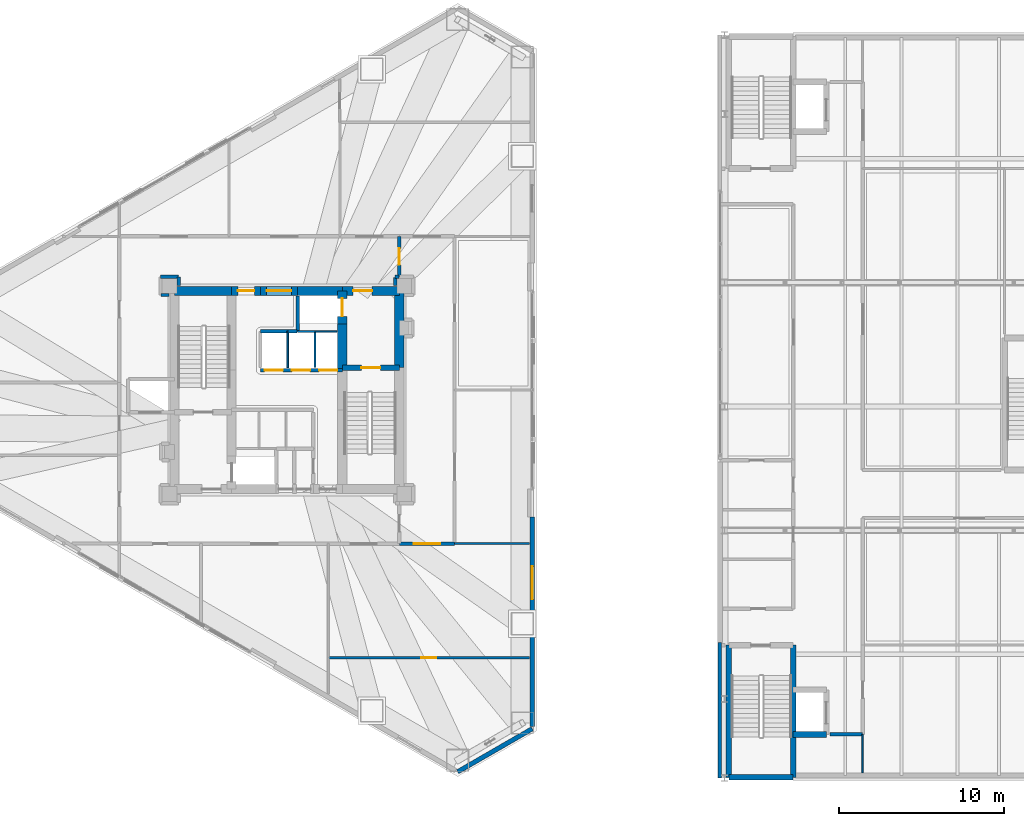
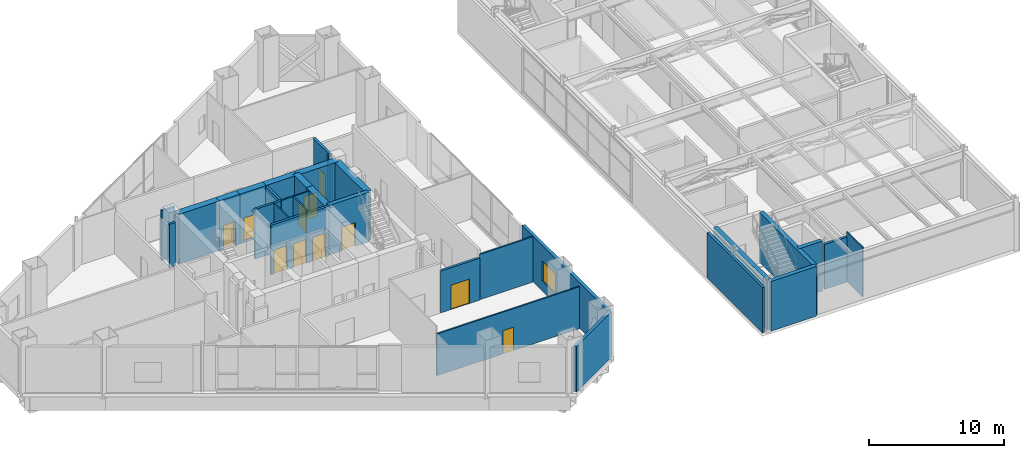
# One storey, part 23 of 29: 35 walls, 11 doors, 1 window, 12 openings.
"""IFC4 building model written with IfcOpenShell, lengths in metres."""

from ifc_helpers import new_model, si_unit, direction, frame, frame_2d, origin, place, context, subcontext, project, spatial, rectangle, extrude, material, layer, layer_set, type_object, element, fill, save


model = new_model("IFC4")

# Units and contexts
model_context = context("Model", 3, precision=1e-05, world=origin(), true_north=direction((0.0, 1.0)))
body_context = subcontext(model_context, "Body", "Model", "MODEL_VIEW")
ifc_project = project(units=[si_unit("LENGTHUNIT", "METRE"), si_unit("AREAUNIT", "SQUARE_METRE"), si_unit("VOLUMEUNIT", "CUBIC_METRE"), si_unit("PLANEANGLEUNIT", "RADIAN"), si_unit("MASSUNIT", "GRAM", prefix="KILO")], contexts=[model_context])

# Site, building, storey
site_placement = place(None, origin())
site = spatial("IfcSite", under=ifc_project, at=site_placement, CompositionType="ELEMENT")
building_placement = place(site_placement, origin())
building = spatial("IfcBuilding", under=site, at=building_placement, Name="Mersakhor Tower and Convention Hall", CompositionType="ELEMENT")
storey_placement = place(building_placement, frame((0.0, 0.0, 9.60009765625)))
storey = spatial("IfcBuildingStorey", under=building, at=storey_placement, Name="L02", CompositionType="ELEMENT", Elevation=9.60009765625)

# Wall
ifc_material_1 = material(Name="Precast concrete C45/55", Category="concrete")
ifc_layer_1 = layer(ifc_material_1, 0.27490234375)
ifc_layer_set_1 = layer_set([ifc_layer_1], Name="Precast concrete C45/55")
wall_type_1 = type_object("IfcWallType", Name="WL-EXT-275", PredefinedType="SOLIDWALL", material=ifc_layer_set_1)
wall_1_placement = place(storey_placement, frame((43.85009765625, 6.240234375, 0.0), z_axis=(0.0, 0.0, 1.0), x_axis=(-0.866043601342, -0.499968479581, 0.0)))
element("IfcWall", 1, at=wall_1_placement, inside=storey, type_object=wall_type_1, Name="L02 Chamfer Braced Spandrel Wall C2", PredefinedType="SOLIDWALL", context=body_context, shape_type="SweptSolid", body=[
    extrude(rectangle(XDim=5.211181640625, YDim=0.27490234375, at=frame_2d((2.60546875, 0.0))), origin(), (0.0, 0.0, 1.0), 4.099853515625),
])

# Wall, opening, window
wall_2_placement = place(storey_placement, frame((43.85009765625, 19.0634765625, 0.0), z_axis=(0.0, 0.0, 1.0), x_axis=(0.0, -1.0, 0.0)))
wall_2 = element("IfcWall", 2, at=wall_2_placement, inside=storey, type_object=wall_type_1, Name="L02 Exterior Facade Wall F2-B3", PredefinedType="SOLIDWALL", context=body_context, shape_type="SweptSolid", body=[
    extrude(rectangle(XDim=12.673095703125, YDim=0.27490234375, at=frame_2d((6.33642578125, 0.0))), origin(), (0.0, 0.0, 1.0), 4.099853515625),
])
opening_1_placement = place(wall_2_placement, frame((2.988037109375, 0.0, 0.89990234375)))
opening_1 = element("IfcOpeningElement", 3, at=opening_1_placement, cuts=wall_2, Name="Opening W-08", PredefinedType="OPENING", context=body_context, shape_type="SweptSolid", body=[
    extrude(rectangle(XDim=2.0, YDim=1.800048828125, at=frame_2d((1.0, 0.89990234375))), frame((0.0, 0.1474609375, 0.0), z_axis=(0.0, -1.0, 0.0), x_axis=(1.0, 0.0, 0.0)), (0.0, 0.0, 1.0), 0.294921875),
])
ifc_material_2 = material(Name="Dark solar low-E glazed aluminium window", Category="aluminium")
window_type = type_object("IfcWindowType", Name="WN-CLN-200x180", PartitioningType="SINGLE_PANEL", PredefinedType="WINDOW", material=ifc_material_2)
window_placement = place(opening_1_placement, origin())
window = element("IfcWindow", 4, at=window_placement, inside=storey, type_object=window_type, Name="L02 Facade Punched Window F2-B3", OverallHeight=1.800048828125, OverallWidth=2.0, PartitioningType="SINGLE_PANEL", PredefinedType="WINDOW", context=body_context, shape_type="SweptSolid", body=[
    extrude(rectangle(XDim=2.0, YDim=1.800048828125, at=frame_2d((1.0, 0.89990234375))), frame((0.0, 0.030029296875, 0.0), z_axis=(0.0, -1.0, 0.0), x_axis=(1.0, 0.0, 0.0)), (0.0, 0.0, 1.0), 0.06005859375),
])
fill(opening_1, window)

# Walls
ifc_material_3 = material(Name="Precast concrete C40/50", Category="concrete")
ifc_layer_2 = layer(ifc_material_3, 0.199951171875)
ifc_layer_set_2 = layer_set([ifc_layer_2], Name="Precast concrete C40/50")
wall_type_2 = type_object("IfcWallType", Name="WL-PAR-200", PredefinedType="PARAPET", material=ifc_layer_set_2)
wall_3_placement = place(storey_placement, frame((55.195068359375, 3.25, 0.0), z_axis=(0.0, 0.0, 1.0), x_axis=(0.0, 1.0, 0.0)))
element("IfcWall", 5, at=wall_3_placement, inside=storey, type_object=wall_type_2, Name="Convention L02 Stair Core Facade Cladding WC1", PredefinedType="PARAPET", context=body_context, shape_type="SweptSolid", body=[
    extrude(rectangle(XDim=8.199951171875, YDim=0.199951171875, at=frame_2d((4.10009765625, 0.0))), origin(), (0.0, 0.0, 1.0), 4.08984375),
])
ifc_material_4 = material(Name="Lightweight gypsum partition", Category="other")
ifc_layer_3 = layer(ifc_material_4, 0.10009765625)
ifc_layer_set_3 = layer_set([ifc_layer_3], Name="Lightweight gypsum partition")
wall_type_3 = type_object("IfcWallType", Name="WL-PRT-100", PredefinedType="PARTITIONING", material=ifc_layer_set_3)
wall_4_placement = place(storey_placement, frame((32.02490234375, 30.300048828125, 0.0), z_axis=(0.0, 0.0, 1.0), x_axis=(-1.0, 0.0, 0.0)))
element("IfcWall", 6, at=wall_4_placement, inside=storey, type_object=wall_type_3, Name="L02 Interior Partition Wall P-004", PredefinedType="PARTITIONING", context=body_context, shape_type="SweptSolid", body=[
    extrude(rectangle(XDim=1.324951171875, YDim=0.10009765625, at=frame_2d((0.66259765625, 0.0))), origin(), (0.0, 0.0, 1.0), 4.47998046875),
])
wall_5_placement = place(storey_placement, frame((29.050048828125, 30.300048828125, 0.0), z_axis=(0.0, 0.0, 1.0), x_axis=(0.0, -1.0, 0.0)))
element("IfcWall", 7, at=wall_5_placement, inside=storey, type_object=wall_type_3, Name="L02 Interior Partition Wall P-014", PredefinedType="PARTITIONING", context=body_context, shape_type="SweptSolid", body=[
    extrude(rectangle(XDim=2.199951171875, YDim=0.10009765625, at=frame_2d((1.10009765625, 0.0))), origin(), (0.0, 0.0, 1.0), 4.47998046875),
])
wall_6_placement = place(storey_placement, frame((63.85009765625, 3.573974609375, 0.0), z_axis=(0.0, 0.0, 1.0), x_axis=(0.0, 1.0, 0.0)))
element("IfcWall", 8, at=wall_6_placement, inside=storey, type_object=wall_type_3, Name="L02 Interior Partition Wall P-078", PredefinedType="PARTITIONING", context=body_context, shape_type="SweptSolid", body=[
    extrude(rectangle(XDim=2.325927734375, YDim=0.10009765625, at=frame_2d((1.1630859375, 0.0))), origin(), (0.0, 0.0, 1.0), 4.47998046875),
])
ifc_material_5 = material(Name="Gypsum board acoustic partition", Category="other")
ifc_layer_4 = layer(ifc_material_5, 0.125)
ifc_layer_set_4 = layer_set([ifc_layer_4], Name="Gypsum board acoustic partition")
wall_type_4 = type_object("IfcWallType", Name="WL-PRT-125", PredefinedType="PARTITIONING", material=ifc_layer_set_4)
wall_7_placement = place(storey_placement, frame((30.699951171875, 30.300048828125, 0.0), z_axis=(0.0, 0.0, 1.0), x_axis=(-1.0, 0.0, 0.0)))
element("IfcWall", 9, at=wall_7_placement, inside=storey, type_object=wall_type_4, Name="L02 Interior Partition Wall P-005", PredefinedType="PARTITIONING", context=body_context, shape_type="SweptSolid", body=[
    extrude(rectangle(XDim=1.050048828125, YDim=0.125, at=frame_2d((0.52490234375, 0.0))), origin(), (0.0, 0.0, 1.0), 4.47998046875),
])
wall_8_placement = place(storey_placement, frame((30.699951171875, 30.300048828125, 0.0), z_axis=(0.0, 0.0, 1.0), x_axis=(0.0, -1.0, 0.0)))
element("IfcWall", 10, at=wall_8_placement, inside=storey, type_object=wall_type_4, Name="L02 Interior Partition Wall P-017", PredefinedType="PARTITIONING", context=body_context, shape_type="SweptSolid", body=[
    extrude(rectangle(XDim=2.199951171875, YDim=0.125, at=frame_2d((1.10009765625, 0.0))), origin(), (0.0, 0.0, 1.0), 4.47998046875),
])
wall_9_placement = place(storey_placement, frame((43.6884765625, 17.449951171875, 0.0), z_axis=(0.0, 0.0, 1.0), x_axis=(-1.0, 0.0, 0.0)))
element("IfcWall", 11, at=wall_9_placement, inside=storey, type_object=wall_type_4, Name="L02 Interior Partition Wall P-099", PredefinedType="PARTITIONING", context=body_context, shape_type="SweptSolid", body=[
    extrude(rectangle(XDim=4.53857421875, YDim=0.125, at=frame_2d((2.269287109375, 0.0))), origin(), (0.0, 0.0, 1.0), 4.09033203125),
])

# Wall, opening, door
wall_10_placement = place(storey_placement, frame((31.5, 10.5400390625, 0.0), z_axis=(0.0, 0.0, 1.0), x_axis=(1.0, 0.0, 0.0)))
wall_10 = element("IfcWall", 12, at=wall_10_placement, inside=storey, type_object=wall_type_4, Name="L02 Interior Partition Wall P-101", PredefinedType="PARTITIONING", context=body_context, shape_type="SweptSolid", body=[
    extrude(rectangle(XDim=12.1884765625, YDim=0.125, at=frame_2d((6.09423828125, 0.0))), origin(), (0.0, 0.0, 1.0), 3.77734375),
])
opening_2_placement = place(wall_10_placement, frame((5.644287109375, 0.0, 0.0)))
opening_2 = element("IfcOpeningElement", 13, at=opening_2_placement, cuts=wall_10, Name="Opening WD-01", PredefinedType="OPENING", context=body_context, shape_type="SweptSolid", body=[
    extrude(rectangle(XDim=0.89990234375, YDim=2.10009765625, at=frame_2d((0.449951171875, 1.050048828125))), frame((0.0, 0.072509765625, 0.0), z_axis=(0.0, -1.0, 0.0), x_axis=(1.0, 0.0, 0.0)), (0.0, 0.0, 1.0), 0.14501953125),
])
ifc_material_6 = material(Name="Solid-core hardwood leaf in painted steel frame", Category="steel")
door_type_1 = type_object("IfcDoorType", Name="DR-INT-WET-090x210", OperationType="NOTDEFINED", PredefinedType="DOOR", material=ifc_material_6)
door_1_placement = place(opening_2_placement, origin())
door_1 = element("IfcDoor", 14, at=door_1_placement, inside=storey, type_object=door_type_1, Name="L02 Phlebotomy and Triage Room to Phlebotomy and Triage Room Annex Door", OperationType="SINGLE_SWING_RIGHT", OverallHeight=2.10009765625, OverallWidth=0.89990234375, PredefinedType="DOOR", context=body_context, shape_type="SweptSolid", body=[
    extrude(rectangle(XDim=0.89990234375, YDim=2.10009765625, at=frame_2d((0.449951171875, 1.050048828125))), frame((0.0, 0.02490234375, 0.0), z_axis=(0.0, -1.0, 0.0), x_axis=(1.0, 0.0, 0.0)), (0.0, 0.0, 1.0), 0.050048828125),
])
fill(opening_2, door_1)

# Wall, openings, doors
ifc_material_7 = material(Name="Acoustic concrete blockwork and gypsum board", Category="masonry")
ifc_layer_5 = layer(ifc_material_7, 0.199951171875)
ifc_layer_set_5 = layer_set([ifc_layer_5], Name="Acoustic concrete blockwork and gypsum board")
wall_type_5 = type_object("IfcWallType", Name="WL-PRT-200", PredefinedType="PARTITIONING", material=ifc_layer_set_5)
wall_11_placement = place(storey_placement, frame((27.39990234375, 27.949951171875, 0.0), z_axis=(0.0, 0.0, 1.0), x_axis=(1.0, 0.0, 0.0)))
wall_11 = element("IfcWall", 15, at=wall_11_placement, inside=storey, type_object=wall_type_5, Name="L02 Low-Rise Lift Bank Front Wall", PredefinedType="PARTITIONING", context=body_context, shape_type="SweptSolid", body=[
    extrude(rectangle(XDim=4.9501953125, YDim=0.199951171875, at=frame_2d((2.47509765625, 0.0))), origin(), (0.0, 0.0, 1.0), 4.47998046875),
])
opening_3_placement = place(wall_11_placement, frame((0.25, 0.0, 0.0)))
opening_3 = element("IfcOpeningElement", 16, at=opening_3_placement, cuts=wall_11, Name="Opening LD-P1", PredefinedType="OPENING", context=body_context, shape_type="SweptSolid", body=[
    extrude(rectangle(XDim=1.10009765625, YDim=2.14990234375, at=frame_2d((0.550048828125, 1.074951171875))), frame((0.0, 0.10986328125, 0.0), z_axis=(0.0, -1.0, 0.0), x_axis=(1.0, 0.0, 0.0)), (0.0, 0.0, 1.0), 0.219970703125),
])
opening_4_placement = place(wall_11_placement, frame((1.89990234375, 0.0, 0.0)))
opening_4 = element("IfcOpeningElement", 17, at=opening_4_placement, cuts=wall_11, Name="Opening LD-P2", PredefinedType="OPENING", context=body_context, shape_type="SweptSolid", body=[
    extrude(rectangle(XDim=1.10009765625, YDim=2.14990234375, at=frame_2d((0.550048828125, 1.074951171875))), frame((0.0, 0.10986328125, 0.0), z_axis=(0.0, -1.0, 0.0), x_axis=(1.0, 0.0, 0.0)), (0.0, 0.0, 1.0), 0.219970703125),
])
opening_5_placement = place(wall_11_placement, frame((3.550048828125, 0.0, 0.0)))
opening_5 = element("IfcOpeningElement", 18, at=opening_5_placement, cuts=wall_11, Name="Opening LD-P3", PredefinedType="OPENING", context=body_context, shape_type="SweptSolid", body=[
    extrude(rectangle(XDim=1.10009765625, YDim=2.14990234375, at=frame_2d((0.550048828125, 1.074951171875))), frame((0.0, 0.10986328125, 0.0), z_axis=(0.0, -1.0, 0.0), x_axis=(1.0, 0.0, 0.0)), (0.0, 0.0, 1.0), 0.219970703125),
])
ifc_material_8 = material(Name="Fire-rated brushed stainless steel sliding landing door", Category="steel")
door_type_2 = type_object("IfcDoorType", Name="DR-LIFT-SLD-110x215", OperationType="NOTDEFINED", PredefinedType="DOOR", material=ifc_material_8)
door_2_placement = place(opening_3_placement, origin())
door_2 = element("IfcDoor", 19, at=door_2_placement, inside=storey, type_object=door_type_2, Name="L02 Lift Landing Door LD-P1", OperationType="SLIDING_TO_LEFT", OverallHeight=2.14990234375, OverallWidth=1.10009765625, PredefinedType="DOOR", context=body_context, shape_type="SweptSolid", body=[
    extrude(rectangle(XDim=1.10009765625, YDim=2.14990234375, at=frame_2d((0.550048828125, 1.074951171875))), frame((0.0, 0.02490234375, 0.0), z_axis=(0.0, -1.0, 0.0), x_axis=(1.0, 0.0, 0.0)), (0.0, 0.0, 1.0), 0.050048828125),
])
fill(opening_3, door_2)
door_3_placement = place(opening_4_placement, origin())
door_3 = element("IfcDoor", 20, at=door_3_placement, inside=storey, type_object=door_type_2, Name="L02 Lift Landing Door LD-P2", OperationType="SLIDING_TO_LEFT", OverallHeight=2.14990234375, OverallWidth=1.10009765625, PredefinedType="DOOR", context=body_context, shape_type="SweptSolid", body=[
    extrude(rectangle(XDim=1.10009765625, YDim=2.14990234375, at=frame_2d((0.550048828125, 1.074951171875))), frame((0.0, 0.02490234375, 0.0), z_axis=(0.0, -1.0, 0.0), x_axis=(1.0, 0.0, 0.0)), (0.0, 0.0, 1.0), 0.050048828125),
])
fill(opening_4, door_3)
door_4_placement = place(opening_5_placement, origin())
door_4 = element("IfcDoor", 21, at=door_4_placement, inside=storey, type_object=door_type_2, Name="L02 Lift Landing Door LD-P3", OperationType="SLIDING_TO_LEFT", OverallHeight=2.14990234375, OverallWidth=1.10009765625, PredefinedType="DOOR", context=body_context, shape_type="SweptSolid", body=[
    extrude(rectangle(XDim=1.10009765625, YDim=2.14990234375, at=frame_2d((0.550048828125, 1.074951171875))), frame((0.0, 0.02490234375, 0.0), z_axis=(0.0, -1.0, 0.0), x_axis=(1.0, 0.0, 0.0)), (0.0, 0.0, 1.0), 0.050048828125),
])
fill(opening_5, door_4)

# Walls
wall_12_placement = place(storey_placement, frame((29.64990234375, 30.300048828125, 0.0), z_axis=(0.0, 0.0, 1.0), x_axis=(0.0, 1.0, 0.0)))
element("IfcWall", 22, at=wall_12_placement, inside=storey, type_object=wall_type_5, Name="L02 Interior Partition Wall P-006", PredefinedType="PARTITIONING", context=body_context, shape_type="SweptSolid", body=[
    extrude(rectangle(XDim=2.125, YDim=0.199951171875, at=frame_2d((1.0625, 0.0))), origin(), (0.0, 0.0, 1.0), 4.47998046875),
])
wall_13_placement = place(storey_placement, frame((27.39990234375, 30.300048828125, 0.0), z_axis=(0.0, 0.0, 1.0), x_axis=(1.0, 0.0, 0.0)))
element("IfcWall", 23, at=wall_13_placement, inside=storey, type_object=wall_type_5, Name="L02 Interior Partition Wall P-013", PredefinedType="PARTITIONING", context=body_context, shape_type="SweptSolid", body=[
    extrude(rectangle(XDim=1.650146484375, YDim=0.199951171875, at=frame_2d((0.8251953125, 0.0))), origin(), (0.0, 0.0, 1.0), 4.47998046875),
])
wall_14_placement = place(storey_placement, frame((29.050048828125, 30.300048828125, 0.0), z_axis=(0.0, 0.0, 1.0), x_axis=(1.0, 0.0, 0.0)))
element("IfcWall", 24, at=wall_14_placement, inside=storey, type_object=wall_type_5, Name="L02 Interior Partition Wall P-016", PredefinedType="PARTITIONING", context=body_context, shape_type="SweptSolid", body=[
    extrude(rectangle(XDim=0.570068359375, YDim=0.199951171875, at=frame_2d((0.28515625, 0.0))), origin(), (0.0, 0.0, 1.0), 4.47998046875),
])
wall_15_placement = place(storey_placement, frame((63.85009765625, 5.89990234375, 0.0), z_axis=(0.0, 0.0, 1.0), x_axis=(-1.0, 0.0, 0.0)))
element("IfcWall", 25, at=wall_15_placement, inside=storey, type_object=wall_type_5, Name="L02 Interior Partition Wall P-035", PredefinedType="PARTITIONING", context=body_context, shape_type="SweptSolid", body=[
    extrude(rectangle(XDim=1.97509765625, YDim=0.199951171875, at=frame_2d((0.987548828125, 0.0))), origin(), (0.0, 0.0, 1.0), 4.055419921875),
])

# Wall, opening, door
wall_16_placement = place(storey_placement, frame((35.800048828125, 36.050048828125, 0.0), z_axis=(0.0, 0.0, 1.0), x_axis=(0.0, -1.0, 0.0)))
wall_16 = element("IfcWall", 26, at=wall_16_placement, inside=storey, type_object=wall_type_5, Name="L02 Interior Partition Wall P-052", PredefinedType="PARTITIONING", context=body_context, shape_type="SweptSolid", body=[
    extrude(rectangle(XDim=2.449951171875, YDim=0.199951171875, at=frame_2d((1.22509765625, 0.0))), origin(), (0.0, 0.0, 1.0), 4.47998046875),
])
opening_6_placement = place(wall_16_placement, frame((0.72509765625, 0.0, 0.0)))
opening_6 = element("IfcOpeningElement", 27, at=opening_6_placement, cuts=wall_16, Name="Opening FD-01", PredefinedType="OPENING", context=body_context, shape_type="SweptSolid", body=[
    extrude(rectangle(XDim=1.0, YDim=2.14990234375, at=frame_2d((0.5, 1.074951171875))), frame((0.0, 0.10986328125, 0.0), z_axis=(0.0, -1.0, 0.0), x_axis=(1.0, 0.0, 0.0)), (0.0, 0.0, 1.0), 0.219970703125),
])
ifc_material_9 = material(Name="Fire-rated hardwood leaf and painted steel frame", Category="steel")
door_type_3 = type_object("IfcDoorType", Name="DR-INT-FLT-100x215", OperationType="NOTDEFINED", PredefinedType="DOOR", material=ifc_material_9)
door_5_placement = place(opening_6_placement, origin())
door_5 = element("IfcDoor", 28, at=door_5_placement, inside=storey, type_object=door_type_3, Name="L02 Ring Corridor Fire Door", OperationType="SINGLE_SWING_RIGHT", OverallHeight=2.14990234375, OverallWidth=1.0, PredefinedType="DOOR", context=body_context, shape_type="SweptSolid", body=[
    extrude(rectangle(XDim=1.0, YDim=2.14990234375, at=frame_2d((0.5, 1.074951171875))), frame((0.0, 0.02490234375, 0.0), z_axis=(0.0, -1.0, 0.0), x_axis=(1.0, 0.0, 0.0)), (0.0, 0.0, 1.0), 0.050048828125),
])
fill(opening_6, door_5)

# Walls
wall_17_placement = place(storey_placement, frame((35.77001953125, 33.60009765625, 0.0), z_axis=(0.0, 0.0, 1.0), x_axis=(-1.0, 0.0, 0.0)))
element("IfcWall", 29, at=wall_17_placement, inside=storey, type_object=wall_type_5, Name="L02 Interior Partition Wall P-053", PredefinedType="PARTITIONING", context=body_context, shape_type="SweptSolid", body=[
    extrude(rectangle(XDim=0.219970703125, YDim=0.199951171875, at=frame_2d((0.10986328125, 0.0))), origin(), (0.0, 0.0, 1.0), 4.47998046875),
])
wall_18_placement = place(storey_placement, frame((35.550048828125, 33.570068359375, 0.0), z_axis=(0.0, 0.0, 1.0), x_axis=(0.0, -1.0, 0.0)))
element("IfcWall", 30, at=wall_18_placement, inside=storey, type_object=wall_type_5, Name="L02 Interior Partition Wall P-054", PredefinedType="PARTITIONING", context=body_context, shape_type="SweptSolid", body=[
    extrude(rectangle(XDim=0.4951171875, YDim=0.199951171875, at=frame_2d((0.24755859375, 0.0))), origin(), (0.0, 0.0, 1.0), 3.92822265625),
])
wall_19_placement = place(storey_placement, frame((22.449951171875, 33.074951171875, 0.0), z_axis=(0.0, 0.0, 1.0), x_axis=(0.0, 1.0, 0.0)))
element("IfcWall", 31, at=wall_19_placement, inside=storey, type_object=wall_type_5, Name="L02 Interior Partition Wall P-055", PredefinedType="PARTITIONING", context=body_context, shape_type="SweptSolid", body=[
    extrude(rectangle(XDim=0.525146484375, YDim=0.199951171875, at=frame_2d((0.2626953125, 0.0))), origin(), (0.0, 0.0, 1.0), 3.92822265625),
])
wall_20_placement = place(storey_placement, frame((22.449951171875, 33.60009765625, 0.0), z_axis=(0.0, 0.0, 1.0), x_axis=(-1.0, 0.0, 0.0)))
element("IfcWall", 32, at=wall_20_placement, inside=storey, type_object=wall_type_5, Name="L02 Interior Partition Wall P-056", PredefinedType="PARTITIONING", context=body_context, shape_type="SweptSolid", body=[
    extrude(rectangle(XDim=1.099853515625, YDim=0.199951171875, at=frame_2d((0.5498046875, 0.0))), origin(), (0.0, 0.0, 1.0), 4.47998046875),
])
wall_21_placement = place(storey_placement, frame((21.3798828125, 32.5, 0.0), z_axis=(0.0, 0.0, 1.0), x_axis=(1.0, 0.0, 0.0)))
element("IfcWall", 33, at=wall_21_placement, inside=storey, type_object=wall_type_5, Name="L02 Interior Partition Wall P-058", PredefinedType="PARTITIONING", context=body_context, shape_type="SweptSolid", body=[
    extrude(rectangle(XDim=0.4951171875, YDim=0.199951171875, at=frame_2d((0.24755859375, 0.0))), origin(), (0.0, 0.0, 1.0), 3.92822265625),
])

# Wall, opening, door
wall_22_placement = place(storey_placement, frame((39.14990234375, 17.449951171875, 0.0), z_axis=(0.0, 0.0, 1.0), x_axis=(-1.0, 0.0, 0.0)))
wall_22 = element("IfcWall", 34, at=wall_22_placement, inside=storey, type_object=wall_type_5, Name="L02 Interior Partition Wall P-072", PredefinedType="PARTITIONING", context=body_context, shape_type="SweptSolid", body=[
    extrude(rectangle(XDim=3.349853515625, YDim=0.199951171875, at=frame_2d((1.6748046875, 0.0))), origin(), (0.0, 0.0, 1.0), 3.77734375),
])
opening_7_placement = place(wall_22_placement, frame((0.875, 0.0, 0.0)))
opening_7 = element("IfcOpeningElement", 35, at=opening_7_placement, cuts=wall_22, Name="Opening CD-01", PredefinedType="OPENING", context=body_context, shape_type="SweptSolid", body=[
    extrude(rectangle(XDim=1.60009765625, YDim=2.199951171875, at=frame_2d((0.800048828125, 1.10009765625))), frame((0.0, 0.10986328125, 0.0), z_axis=(0.0, -1.0, 0.0), x_axis=(1.0, 0.0, 0.0)), (0.0, 0.0, 1.0), 0.219970703125),
])
ifc_material_10 = material(Name="Fire-rated hardwood leaf and painted steel frame", Category="steel")
door_type_4 = type_object("IfcDoorType", Name="DR-INT-COR-160x220", OperationType="NOTDEFINED", PredefinedType="DOOR", material=ifc_material_10)
door_6_placement = place(opening_7_placement, origin())
door_6 = element("IfcDoor", 36, at=door_6_placement, inside=storey, type_object=door_type_4, Name="L02 L02 Primary Healthcare Clinical East Corridor to Phlebotomy and Triage Room Annex Door", OperationType="DOUBLE_DOOR_SINGLE_SWING", OverallHeight=2.199951171875, OverallWidth=1.60009765625, PredefinedType="DOOR", context=body_context, shape_type="SweptSolid", body=[
    extrude(rectangle(XDim=1.60009765625, YDim=2.199951171875, at=frame_2d((0.800048828125, 1.10009765625))), frame((0.0, 0.02490234375, 0.0), z_axis=(0.0, -1.0, 0.0), x_axis=(1.0, 0.0, 0.0)), (0.0, 0.0, 1.0), 0.050048828125),
])
fill(opening_7, door_6)

ifc_material_11 = material(Name="Concrete C50/60", Category="concrete")
ifc_layer_6 = layer(ifc_material_11, 0.35009765625)
ifc_layer_set_6 = layer_set([ifc_layer_6], Name="Concrete C50/60")
wall_type_6 = type_object("IfcWallType", Name="WL-SHR-350", PredefinedType="SHEAR", material=ifc_layer_set_6)
wall_23_placement = place(storey_placement, frame((32.35009765625, 28.10009765625, 0.0), z_axis=(0.0, 0.0, 1.0), x_axis=(1.0, 0.0, 0.0)))
wall_23 = element("IfcWall", 37, at=wall_23_placement, inside=storey, type_object=wall_type_6, Name="L02 Core Wall CS-ST2-N", PredefinedType="SHEAR", context=body_context, shape_type="SweptSolid", body=[
    extrude(rectangle(XDim=3.449951171875, YDim=0.35009765625, at=frame_2d((1.72509765625, 0.0))), origin(), (0.0, 0.0, 1.0), 4.47998046875),
])
opening_8_placement = place(wall_23_placement, frame((1.14990234375, 0.0, 0.0)))
opening_8 = element("IfcOpeningElement", 38, at=opening_8_placement, cuts=wall_23, Name="Opening SD-01", PredefinedType="OPENING", context=body_context, shape_type="SweptSolid", body=[
    extrude(rectangle(XDim=1.14990234375, YDim=2.14990234375, at=frame_2d((0.574951171875, 1.074951171875))), frame((0.0, 0.18505859375, 0.0), z_axis=(0.0, -1.0, 0.0), x_axis=(1.0, 0.0, 0.0)), (0.0, 0.0, 1.0), 0.3701171875),
])
ifc_material_12 = material(Name="Fire-rated hardwood leaf and painted steel frame", Category="steel")
door_type_5 = type_object("IfcDoorType", Name="DR-INT-STAIR-115x215", OperationType="NOTDEFINED", PredefinedType="DOOR", material=ifc_material_12)
door_7_placement = place(opening_8_placement, origin())
door_7 = element("IfcDoor", 39, at=door_7_placement, inside=storey, type_object=door_type_5, Name="L02 Exit Stair ST-2 Enclosure Door", OperationType="SINGLE_SWING_RIGHT", OverallHeight=2.14990234375, OverallWidth=1.14990234375, PredefinedType="DOOR", context=body_context, shape_type="SweptSolid", body=[
    extrude(rectangle(XDim=1.14990234375, YDim=2.14990234375, at=frame_2d((0.574951171875, 1.074951171875))), frame((0.0, 0.02490234375, 0.0), z_axis=(0.0, -1.0, 0.0), x_axis=(1.0, 0.0, 0.0)), (0.0, 0.0, 1.0), 0.050048828125),
])
fill(opening_8, door_7)

# Walls
wall_24_placement = place(storey_placement, frame((59.64990234375, 5.89990234375, 0.0), z_axis=(0.0, 0.0, 1.0), x_axis=(1.0, 0.0, 0.0)))
element("IfcWall", 40, at=wall_24_placement, inside=storey, type_object=wall_type_6, Name="L02 CVL1 Shaft South Wall", PredefinedType="SHEAR", context=body_context, shape_type="SweptSolid", body=[
    extrude(rectangle(XDim=2.0, YDim=0.35009765625, at=frame_2d((1.0, 0.0))), origin(), (0.0, 0.0, 1.0), 4.47998046875),
])
for number, where, z_axis, x_axis, name in (
    (41, (59.64990234375, 11.300048828125, 0.0), (0.0, 0.0, 1.0), (0.0, -1.0, 0.0), "L02 CHST1 East Shear Wall"),
    (42, (55.75, 3.300048828125, 0.0), (0.0, 0.0, 1.0), (0.0, 1.0, 0.0), "L02 CHST1 West Shear Wall"),
):
    element("IfcWall", number, at=place(storey_placement, frame(where, z_axis=z_axis, x_axis=x_axis)), inside=storey, type_object=wall_type_6, Name=name, PredefinedType="SHEAR", context=body_context, shape_type="SweptSolid", body=[
        extrude(rectangle(XDim=8.0, YDim=0.35009765625, at=frame_2d((4.0, 0.0))), origin(), (0.0, 0.0, 1.0), 4.47998046875),
    ])
wall_25_placement = place(storey_placement, frame((55.75, 3.300048828125, 0.0), z_axis=(0.0, 0.0, 1.0), x_axis=(1.0, 0.0, 0.0)))
element("IfcWall", 43, at=wall_25_placement, inside=storey, type_object=wall_type_6, Name="L02 CHST1 South Shear Wall", PredefinedType="SHEAR", context=body_context, shape_type="SweptSolid", body=[
    extrude(rectangle(XDim=3.89990234375, YDim=0.35009765625, at=frame_2d((1.949951171875, 0.0))), origin(), (0.0, 0.0, 1.0), 4.47998046875),
])
ifc_material_13 = material(Name="Concrete C70/85", Category="concrete")
ifc_layer_7 = layer(ifc_material_13, 0.550048828125)
ifc_layer_set_7 = layer_set([ifc_layer_7], Name="Concrete C70/85")
wall_type_7 = type_object("IfcWallType", Name="WL-SHR-550", PredefinedType="SHEAR", material=ifc_layer_set_7)
wall_26_placement = place(storey_placement, frame((22.199951171875, 32.75, 0.0), z_axis=(0.0, 0.0, 1.0), x_axis=(1.0, 0.0, 0.0)))
element("IfcWall", 44, at=wall_26_placement, inside=storey, type_object=wall_type_7, Name="L02 Core Wall CW-N1", PredefinedType="SHEAR", context=body_context, shape_type="SweptSolid", body=[
    extrude(rectangle(XDim=3.449951171875, YDim=0.550048828125, at=frame_2d((1.72509765625, 0.0))), origin(), (0.0, 0.0, 1.0), 4.47998046875),
])

# Wall, opening, door
wall_27_placement = place(storey_placement, frame((25.64990234375, 32.75, 0.0), z_axis=(0.0, 0.0, 1.0), x_axis=(1.0, 0.0, 0.0)))
wall_27 = element("IfcWall", 45, at=wall_27_placement, inside=storey, type_object=wall_type_7, Name="L02 Core Wall CW-N2A", PredefinedType="SHEAR", context=body_context, shape_type="SweptSolid", body=[
    extrude(rectangle(XDim=1.75, YDim=0.550048828125, at=frame_2d((0.875, 0.0))), origin(), (0.0, 0.0, 1.0), 4.47998046875),
])
opening_9_placement = place(wall_27_placement, frame((0.375, 0.0, 0.0)))
opening_9 = element("IfcOpeningElement", 46, at=opening_9_placement, cuts=wall_27, Name="Opening CFD-01", PredefinedType="OPENING", context=body_context, shape_type="SweptSolid", body=[
    extrude(rectangle(XDim=1.0, YDim=2.14990234375, at=frame_2d((0.5, 1.074951171875))), frame((0.0, 0.284912109375, 0.0), z_axis=(0.0, -1.0, 0.0), x_axis=(1.0, 0.0, 0.0)), (0.0, 0.0, 1.0), 0.570068359375),
])
ifc_material_14 = material(Name="Fire-rated hardwood leaf and painted steel frame", Category="steel")
door_type_6 = type_object("IfcDoorType", Name="DR-CORE-FD-100x215", OperationType="NOTDEFINED", PredefinedType="DOOR", material=ifc_material_14)
door_8_placement = place(opening_9_placement, origin())
door_8 = element("IfcDoor", 47, at=door_8_placement, inside=storey, type_object=door_type_6, Name="L02 Lift Lobby North Corridor Door", OperationType="SINGLE_SWING_LEFT", OverallHeight=2.14990234375, OverallWidth=1.0, PredefinedType="DOOR", context=body_context, shape_type="SweptSolid", body=[
    extrude(rectangle(XDim=1.0, YDim=2.14990234375, at=frame_2d((0.5, 1.074951171875))), frame((0.0, 0.02490234375, 0.0), z_axis=(0.0, -1.0, 0.0), x_axis=(1.0, 0.0, 0.0)), (0.0, 0.0, 1.0), 0.050048828125),
])
fill(opening_9, door_8)

wall_28_placement = place(storey_placement, frame((27.39990234375, 32.75, 0.0), z_axis=(0.0, 0.0, 1.0), x_axis=(1.0, 0.0, 0.0)))
wall_28 = element("IfcWall", 48, at=wall_28_placement, inside=storey, type_object=wall_type_7, Name="L02 Core Wall CW-N2B", PredefinedType="SHEAR", context=body_context, shape_type="SweptSolid", body=[
    extrude(rectangle(XDim=2.25, YDim=0.550048828125, at=frame_2d((1.125, 0.0))), origin(), (0.0, 0.0, 1.0), 4.47998046875),
])
opening_10_placement = place(wall_28_placement, frame((0.375, 0.0, 0.0)))
opening_10 = element("IfcOpeningElement", 49, at=opening_10_placement, cuts=wall_28, Name="Opening LD-LOB", PredefinedType="OPENING", context=body_context, shape_type="SweptSolid", body=[
    extrude(rectangle(XDim=1.5, YDim=2.199951171875, at=frame_2d((0.75, 1.10009765625))), frame((0.0, 0.284912109375, 0.0), z_axis=(0.0, -1.0, 0.0), x_axis=(1.0, 0.0, 0.0)), (0.0, 0.0, 1.0), 0.570068359375),
])
ifc_material_15 = material(Name="Fire-rated hardwood leaf and painted steel frame", Category="steel")
door_type_7 = type_object("IfcDoorType", Name="DR-INT-LOB-150x220", OperationType="NOTDEFINED", PredefinedType="DOOR", material=ifc_material_15)
door_9_placement = place(opening_10_placement, origin())
door_9 = element("IfcDoor", 50, at=door_9_placement, inside=storey, type_object=door_type_7, Name="L02 Central Passenger Lift Lobby to L02 Primary Healthcare Clinical Corridor Door", OperationType="DOUBLE_DOOR_SINGLE_SWING", OverallHeight=2.199951171875, OverallWidth=1.5, PredefinedType="DOOR", context=body_context, shape_type="SweptSolid", body=[
    extrude(rectangle(XDim=1.5, YDim=2.199951171875, at=frame_2d((0.75, 1.10009765625))), frame((0.0, 0.02490234375, 0.0), z_axis=(0.0, -1.0, 0.0), x_axis=(1.0, 0.0, 0.0)), (0.0, 0.0, 1.0), 0.050048828125),
])
fill(opening_10, door_9)

# Wall
wall_29_placement = place(storey_placement, frame((29.64990234375, 32.75, 0.0), z_axis=(0.0, 0.0, 1.0), x_axis=(1.0, 0.0, 0.0)))
element("IfcWall", 51, at=wall_29_placement, inside=storey, type_object=wall_type_7, Name="L02 Core Wall CW-N3", PredefinedType="SHEAR", context=body_context, shape_type="SweptSolid", body=[
    extrude(rectangle(XDim=2.7001953125, YDim=0.550048828125, at=frame_2d((1.35009765625, 0.0))), origin(), (0.0, 0.0, 1.0), 4.47998046875),
])

# Wall, opening, door
wall_30_placement = place(storey_placement, frame((32.35009765625, 32.75, 0.0), z_axis=(0.0, 0.0, 1.0), x_axis=(1.0, 0.0, 0.0)))
wall_30 = element("IfcWall", 52, at=wall_30_placement, inside=storey, type_object=wall_type_7, Name="L02 Core Wall CW-N4", PredefinedType="SHEAR", context=body_context, shape_type="SweptSolid", body=[
    extrude(rectangle(XDim=3.449951171875, YDim=0.550048828125, at=frame_2d((1.72509765625, 0.0))), origin(), (0.0, 0.0, 1.0), 4.47998046875),
])
opening_11_placement = place(wall_30_placement, frame((0.64990234375, 0.0, 0.0)))
opening_11 = element("IfcOpeningElement", 53, at=opening_11_placement, cuts=wall_30, Name="Opening SD-01", PredefinedType="OPENING", context=body_context, shape_type="SweptSolid", body=[
    extrude(rectangle(XDim=1.14990234375, YDim=2.14990234375, at=frame_2d((0.574951171875, 1.074951171875))), frame((0.0, 0.284912109375, 0.0), z_axis=(0.0, -1.0, 0.0), x_axis=(1.0, 0.0, 0.0)), (0.0, 0.0, 1.0), 0.570068359375),
])
door_10_placement = place(opening_11_placement, origin())
door_10 = element("IfcDoor", 54, at=door_10_placement, inside=storey, type_object=door_type_5, Name="L02 Firefighting Lobby East Fire Door", OperationType="SINGLE_SWING_RIGHT", OverallHeight=2.14990234375, OverallWidth=1.14990234375, PredefinedType="DOOR", context=body_context, shape_type="SweptSolid", body=[
    extrude(rectangle(XDim=1.14990234375, YDim=2.14990234375, at=frame_2d((0.574951171875, 1.074951171875))), frame((0.0, 0.02490234375, 0.0), z_axis=(0.0, -1.0, 0.0), x_axis=(1.0, 0.0, 0.0)), (0.0, 0.0, 1.0), 0.050048828125),
])
fill(opening_11, door_10)

# Walls
wall_31_placement = place(storey_placement, frame((35.800048828125, 32.75, 0.0), z_axis=(0.0, 0.0, 1.0), x_axis=(0.0, -1.0, 0.0)))
element("IfcWall", 55, at=wall_31_placement, inside=storey, type_object=wall_type_7, Name="L02 Core Wall CW-E1", PredefinedType="SHEAR", context=body_context, shape_type="SweptSolid", body=[
    extrude(rectangle(XDim=4.64990234375, YDim=0.550048828125, at=frame_2d((2.324951171875, 0.0))), origin(), (0.0, 0.0, 1.0), 4.47998046875),
])
wall_32_placement = place(storey_placement, frame((32.35009765625, 27.949951171875, 0.0), z_axis=(0.0, 0.0, 1.0), x_axis=(0.0, 1.0, 0.0)))
element("IfcWall", 56, at=wall_32_placement, inside=storey, type_object=wall_type_7, Name="L02 Core Wall CS-E-MID", PredefinedType="SHEAR", context=body_context, shape_type="SweptSolid", body=[
    extrude(rectangle(XDim=2.800048828125, YDim=0.550048828125, at=frame_2d((1.39990234375, 0.0))), origin(), (0.0, 0.0, 1.0), 4.47998046875),
])

# Wall, opening, door
wall_33_placement = place(storey_placement, frame((32.35009765625, 30.75, 0.0), z_axis=(0.0, 0.0, 1.0), x_axis=(0.0, 1.0, 0.0)))
wall_33 = element("IfcWall", 57, at=wall_33_placement, inside=storey, type_object=wall_type_7, Name="L02 Core Wall CS-E-FFL", PredefinedType="SHEAR", context=body_context, shape_type="SweptSolid", body=[
    extrude(rectangle(XDim=2.0, YDim=0.550048828125, at=frame_2d((1.0, 0.0))), origin(), (0.0, 0.0, 1.0), 4.47998046875),
])
opening_12_placement = place(wall_33_placement, frame((0.449951171875, 0.0, 0.0)))
opening_12 = element("IfcOpeningElement", 58, at=opening_12_placement, cuts=wall_33, Name="Opening LD-FFL2", PredefinedType="OPENING", context=body_context, shape_type="SweptSolid", body=[
    extrude(rectangle(XDim=1.10009765625, YDim=2.14990234375, at=frame_2d((0.550048828125, 1.074951171875))), frame((0.0, 0.284912109375, 0.0), z_axis=(0.0, -1.0, 0.0), x_axis=(1.0, 0.0, 0.0)), (0.0, 0.0, 1.0), 0.570068359375),
])
door_11_placement = place(opening_12_placement, origin())
door_11 = element("IfcDoor", 59, at=door_11_placement, inside=storey, type_object=door_type_2, Name="L02 Firefighting Lift Landing Door LD-FFL2", OperationType="SLIDING_TO_LEFT", OverallHeight=2.14990234375, OverallWidth=1.10009765625, PredefinedType="DOOR", context=body_context, shape_type="SweptSolid", body=[
    extrude(rectangle(XDim=1.10009765625, YDim=2.14990234375, at=frame_2d((0.550048828125, 1.074951171875))), frame((0.0, 0.02490234375, 0.0), z_axis=(0.0, -1.0, 0.0), x_axis=(1.0, 0.0, 0.0)), (0.0, 0.0, 1.0), 0.050048828125),
])
fill(opening_12, door_11)

save(model, "model.ifc")
